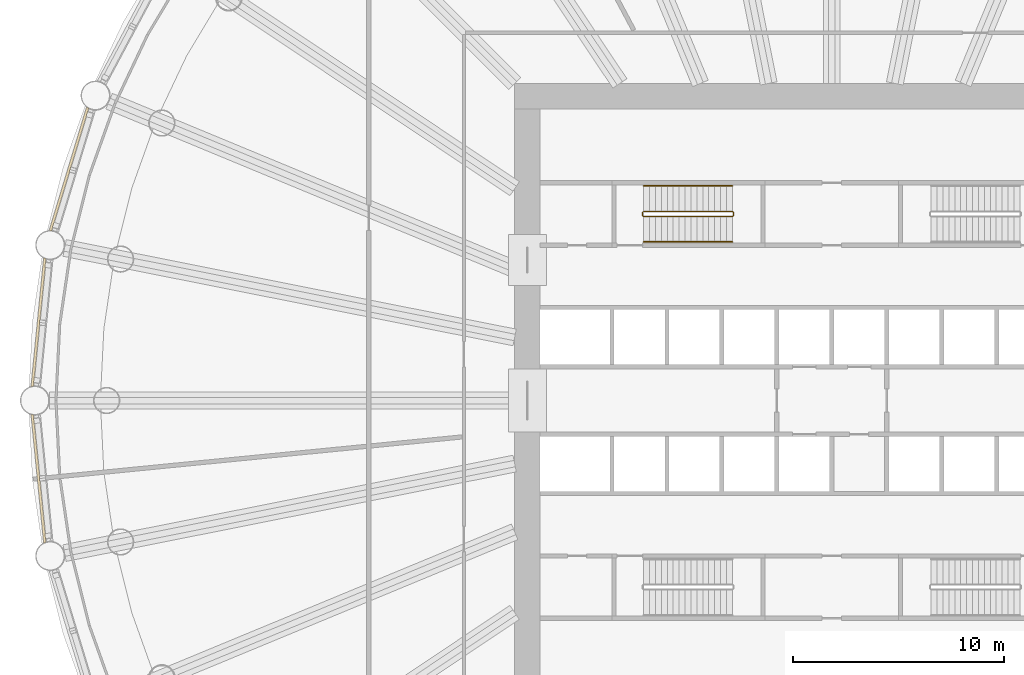
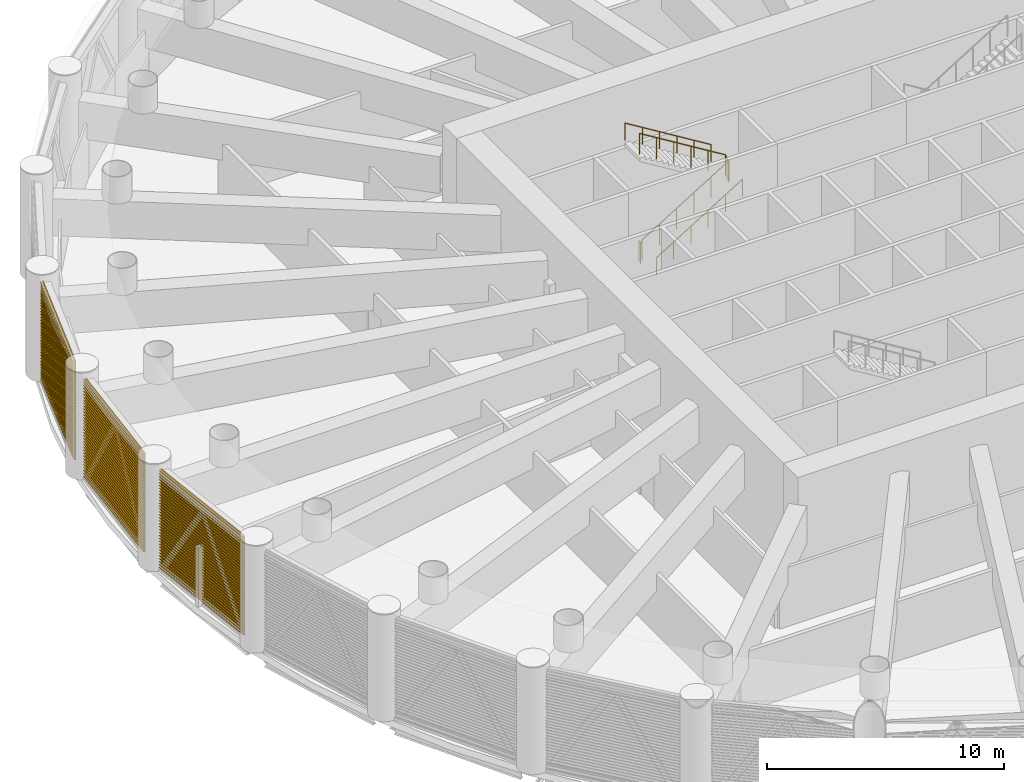
# One storey, part 22 of 26: 3 railings, 3 shading devices, 3 elements without a shape of their own.
"""IFC4 building model written with IfcOpenShell, lengths in metres."""

from ifc_helpers import new_model, si_unit, direction, frame, origin, origin_2d, place, context, subcontext, project, spatial, polyline, circle, outline, extrude, material, material_profile, profile_set, type_object, element, aggregate, save


model = new_model("IFC4")

# Units and contexts
model_context = context("Model", 3, precision=1e-05, world=origin(), true_north=direction((0.0, 1.0)))
body_context = subcontext(model_context, "Body", "Model", "MODEL_VIEW")
ifc_project = project(units=[si_unit("LENGTHUNIT", "METRE"), si_unit("AREAUNIT", "SQUARE_METRE"), si_unit("VOLUMEUNIT", "CUBIC_METRE"), si_unit("PLANEANGLEUNIT", "RADIAN"), si_unit("MASSUNIT", "GRAM", prefix="KILO")], contexts=[model_context])

# Site, building, storey
site_placement = place(None, origin())
site = spatial("IfcSite", under=ifc_project, at=site_placement, CompositionType="ELEMENT")
building_placement = place(site_placement, origin())
building = spatial("IfcBuilding", under=site, at=building_placement, Name="Corvane Civic Tower", CompositionType="ELEMENT")
storey_placement = place(building_placement, frame((0.0, 0.0, 85.0)))
storey = spatial("IfcBuildingStorey", under=building, at=storey_placement, Name="L19", CompositionType="ELEMENT", Elevation=85.0)

# Railings
ifc_material_1 = material(Name="Steel ASTM A572 Gr 50", Category="steel")
railing_type_1 = type_object("IfcRailingType", Name="ST-GUARD-1100", PredefinedType="GUARDRAIL", material=ifc_material_1)
railing_1_placement = place(storey_placement, frame((-8.949951171875, 8.89990234375, 0.0)))
element("IfcRailing", 1, at=railing_1_placement, inside=storey, type_object=railing_type_1, Name="L19 ST4 stair guard 1", PredefinedType="GUARDRAIL", context=body_context, shape_type="SweptSolid", body=[
    extrude(circle(Radius=0.02392578125, at=origin_2d()), frame((0.0, 0.0, 1.076171875), z_axis=(0.0, -1.0, 0.0), x_axis=(1.0, 0.0, 0.0)), (0.0, 0.0, 1.0), 0.14990234375),
    extrude(circle(Radius=0.02392578125, at=origin_2d()), frame((0.0, -0.14990234375, 1.076171875), z_axis=(0.269255725606, -0.269255725606, 0.92466356501), x_axis=(0.707106781187, 0.707106781187, 0.0)), (0.0, 0.0, 1.0), 0.185791015625),
    extrude(circle(Radius=0.02392578125, at=origin_2d()), frame((0.050048828125, -0.199951171875, 1.248046875), z_axis=(0.852242915053, 0.0, 0.523146264196), x_axis=(0.0, 1.0, 0.0)), (0.0, 0.0, 1.0), 4.92822265625),
    extrude(circle(Radius=0.02392578125, at=origin_2d()), frame((4.25, -0.199951171875, 3.826171875), z_axis=(0.707106781187, 0.707106781187, 0.0), x_axis=(-0.707106781187, 0.707106781187, 0.0)), (0.0, 0.0, 1.0), 0.07080078125),
    extrude(circle(Radius=0.02392578125, at=origin_2d()), frame((4.300048828125, -0.14990234375, 3.826171875), z_axis=(0.0, 1.0, 0.0), x_axis=(-1.0, 0.0, 0.0)), (0.0, 0.0, 1.0), 0.14990234375),
    extrude(circle(Radius=0.02392578125, at=origin_2d()), frame((4.300048828125, 0.0, 3.826171875), z_axis=(-0.269255725606, 0.269255725606, 0.92466356501), x_axis=(-0.707106781187, -0.707106781187, 0.0)), (0.0, 0.0, 1.0), 0.185791015625),
    extrude(circle(Radius=0.02392578125, at=origin_2d()), frame((4.25, 0.050048828125, 3.998046875), z_axis=(-0.852242915053, 0.0, 0.523146264196), x_axis=(0.0, -1.0, 0.0)), (0.0, 0.0, 1.0), 4.92822265625),
    extrude(circle(Radius=0.02099609375, at=origin_2d()), origin(), (0.0, 0.0, 1.0), 1.052001953125),
    extrude(circle(Radius=0.02099609375, at=origin_2d()), frame((0.0, -0.14990234375, 0.0)), (0.0, 0.0, 1.0), 1.052001953125),
    extrude(circle(Radius=0.02099609375, at=origin_2d()), frame((0.050048828125, -0.199951171875, 0.171875)), (0.0, 0.0, 1.0), 1.052001953125),
    extrude(circle(Radius=0.02099609375, at=origin_2d()), frame((0.89013671875, -0.199951171875, 0.6875)), (0.0, 0.0, 1.0), 1.052001953125),
    extrude(circle(Radius=0.02099609375, at=origin_2d()), frame((1.72998046875, -0.199951171875, 1.203125)), (0.0, 0.0, 1.0), 1.052001953125),
    extrude(circle(Radius=0.02099609375, at=origin_2d()), frame((2.570068359375, -0.199951171875, 1.71875)), (0.0, 0.0, 1.0), 1.052001953125),
    extrude(circle(Radius=0.02099609375, at=origin_2d()), frame((3.409912109375, -0.199951171875, 2.234375)), (0.0, 0.0, 1.0), 1.052001953125),
    extrude(circle(Radius=0.02099609375, at=origin_2d()), frame((4.25, -0.199951171875, 2.75)), (0.0, 0.0, 1.0), 1.052001953125),
    extrude(circle(Radius=0.02099609375, at=origin_2d()), frame((4.300048828125, -0.14990234375, 2.75)), (0.0, 0.0, 1.0), 1.052001953125),
    extrude(circle(Radius=0.02099609375, at=origin_2d()), frame((4.300048828125, 0.0, 2.75)), (0.0, 0.0, 1.0), 1.052001953125),
    extrude(circle(Radius=0.02099609375, at=origin_2d()), frame((4.25, 0.050048828125, 2.921875)), (0.0, 0.0, 1.0), 1.052001953125),
    extrude(circle(Radius=0.02099609375, at=origin_2d()), frame((3.409912109375, 0.050048828125, 3.4375)), (0.0, 0.0, 1.0), 1.052001953125),
    extrude(circle(Radius=0.02099609375, at=origin_2d()), frame((2.570068359375, 0.050048828125, 3.953125)), (0.0, 0.0, 1.0), 1.052001953125),
    extrude(circle(Radius=0.02099609375, at=origin_2d()), frame((1.72998046875, 0.050048828125, 4.46875)), (0.0, 0.0, 1.0), 1.052001953125),
    extrude(circle(Radius=0.02099609375, at=origin_2d()), frame((0.89013671875, 0.050048828125, 4.984375)), (0.0, 0.0, 1.0), 1.052001953125),
    extrude(circle(Radius=0.02099609375, at=origin_2d()), frame((0.050048828125, 0.050048828125, 5.5)), (0.0, 0.0, 1.0), 1.052001953125),
])
ifc_material_2 = material(Name="Steel ASTM A572 Gr 50", Category="steel")
railing_type_2 = type_object("IfcRailingType", Name="ST-HANDRAIL-900", PredefinedType="HANDRAIL", material=ifc_material_2)
railing_2_placement = place(storey_placement, frame((-8.89990234375, 7.5, 0.171875)))
element("IfcRailing", 2, at=railing_2_placement, inside=storey, type_object=railing_type_2, Name="L19 ST4 stair handrail 1", PredefinedType="HANDRAIL", context=body_context, shape_type="SweptSolid", body=[
    extrude(circle(Radius=0.02392578125, at=origin_2d()), frame((0.0, 0.0, 0.8759765625), z_axis=(0.852242915053, 0.0, 0.523146264196), x_axis=(0.0, 1.0, 0.0)), (0.0, 0.0, 1.0), 4.92822265625),
    extrude(circle(Radius=0.02099609375, at=origin_2d()), origin(), (0.0, 0.0, 1.0), 0.851806640625),
    extrude(circle(Radius=0.02099609375, at=origin_2d()), frame((0.840087890625, 0.0, 0.515625)), (0.0, 0.0, 1.0), 0.851806640625),
    extrude(circle(Radius=0.02099609375, at=origin_2d()), frame((1.679931640625, 0.0, 1.03125)), (0.0, 0.0, 1.0), 0.851806640625),
    extrude(circle(Radius=0.02099609375, at=origin_2d()), frame((2.52001953125, 0.0, 1.546875)), (0.0, 0.0, 1.0), 0.851806640625),
    extrude(circle(Radius=0.02099609375, at=origin_2d()), frame((3.35986328125, 0.0, 2.0625)), (0.0, 0.0, 1.0), 0.851806640625),
    extrude(circle(Radius=0.02099609375, at=origin_2d()), frame((4.199951171875, 0.0, 2.578125)), (0.0, 0.0, 1.0), 0.851806640625),
])
railing_3_placement = place(storey_placement, frame((-4.699951171875, 10.14990234375, 2.921875)))
element("IfcRailing", 3, at=railing_3_placement, inside=storey, type_object=railing_type_2, Name="L19 ST4 stair handrail 2", PredefinedType="HANDRAIL", context=body_context, shape_type="SweptSolid", body=[
    extrude(circle(Radius=0.02392578125, at=origin_2d()), frame((0.0, 0.0, 0.8759765625), z_axis=(-0.852242915053, 0.0, 0.523146264196), x_axis=(0.0, -1.0, 0.0)), (0.0, 0.0, 1.0), 4.92822265625),
    extrude(circle(Radius=0.02099609375, at=origin_2d()), origin(), (0.0, 0.0, 1.0), 0.851806640625),
    extrude(circle(Radius=0.02099609375, at=origin_2d()), frame((-0.840087890625, 0.0, 0.515625)), (0.0, 0.0, 1.0), 0.851806640625),
    extrude(circle(Radius=0.02099609375, at=origin_2d()), frame((-1.679931640625, 0.0, 1.03125)), (0.0, 0.0, 1.0), 0.851806640625),
    extrude(circle(Radius=0.02099609375, at=origin_2d()), frame((-2.52001953125, 0.0, 1.546875)), (0.0, 0.0, 1.0), 0.851806640625),
    extrude(circle(Radius=0.02099609375, at=origin_2d()), frame((-3.35986328125, 0.0, 2.0625)), (0.0, 0.0, 1.0), 0.851806640625),
    extrude(circle(Radius=0.02099609375, at=origin_2d()), frame((-4.199951171875, 0.0, 2.578125)), (0.0, 0.0, 1.0), 0.851806640625),
])

# Curtain wall, shading device
ifc_material_3 = material(Name="Anodised aluminium bronze", Category="aluminium")
curtain_wall_type = type_object("IfcCurtainWallType", Name="TOWER CW-LV LOUVRE SCREEN WALL", PredefinedType="NOTDEFINED", material=ifc_material_3)
curtain_wall_1_placement = place(storey_placement, origin())
curtain_wall_1 = element("IfcCurtainWall", 4, at=curtain_wall_1_placement, inside=storey, type_object=curtain_wall_type, Name="Louvre screen wall CW-LV L19 bay 24", PredefinedType="NOTDEFINED")
ifc_material_4 = material(Name="Anodised aluminium bronze", Category="aluminium")
ifc_material_profile = material_profile(ifc_material_4, outline(polyline([(-0.06005859375, -2.56494140625), (-0.0400390625, -2.56494140625), (0.06005859375, -2.492919921875), (0.06005859375, -2.472900390625), (-0.0400390625, -2.544921875), (-0.0400390625, -2.4140625), (0.06005859375, -2.342041015625), (0.06005859375, -2.322021484375), (-0.0400390625, -2.39404296875), (-0.0400390625, -2.26318359375), (0.06005859375, -2.191162109375), (0.06005859375, -2.171142578125), (-0.0400390625, -2.2431640625), (-0.0400390625, -2.1123046875), (0.06005859375, -2.040283203125), (0.06005859375, -2.0205078125), (-0.0400390625, -2.09228515625), (-0.0400390625, -1.96142578125), (0.06005859375, -1.889404296875), (0.06005859375, -1.869384765625), (-0.0400390625, -1.94140625), (-0.0400390625, -1.810546875), (0.06005859375, -1.738525390625), (0.06005859375, -1.718505859375), (-0.0400390625, -1.79052734375), (-0.0400390625, -1.65966796875), (0.06005859375, -1.587646484375), (0.06005859375, -1.567626953125), (-0.0400390625, -1.6396484375), (-0.0400390625, -1.5087890625), (0.06005859375, -1.436767578125), (0.06005859375, -1.416748046875), (-0.0400390625, -1.48876953125), (-0.0400390625, -1.35791015625), (0.06005859375, -1.285888671875), (0.06005859375, -1.265869140625), (-0.0400390625, -1.337890625), (-0.0400390625, -1.20703125), (0.06005859375, -1.135009765625), (0.06005859375, -1.114990234375), (-0.0400390625, -1.18701171875), (-0.0400390625, -1.05615234375), (0.06005859375, -0.984130859375), (0.06005859375, -0.964111328125), (-0.0400390625, -1.0361328125), (-0.0400390625, -0.9052734375), (0.06005859375, -0.833251953125), (0.06005859375, -0.813232421875), (-0.0400390625, -0.88525390625), (-0.0400390625, -0.75439453125), (0.06005859375, -0.682373046875), (0.06005859375, -0.662353515625), (-0.0400390625, -0.734375), (-0.0400390625, -0.603515625), (0.06005859375, -0.531494140625), (0.06005859375, -0.511474609375), (-0.0400390625, -0.58349609375), (-0.0400390625, -0.45263671875), (0.06005859375, -0.380615234375), (0.06005859375, -0.360595703125), (-0.0400390625, -0.4326171875), (-0.0400390625, -0.3017578125), (0.06005859375, -0.229736328125), (0.06005859375, -0.209716796875), (-0.0400390625, -0.28173828125), (-0.0400390625, -0.15087890625), (0.06005859375, -0.078857421875), (0.06005859375, -0.058837890625), (-0.0400390625, -0.130859375), (-0.0400390625, 0.0), (0.06005859375, 0.072021484375), (0.06005859375, 0.092041015625), (-0.0400390625, 0.02001953125), (-0.0400390625, 0.15087890625), (0.06005859375, 0.222900390625), (0.06005859375, 0.242919921875), (-0.0400390625, 0.1708984375), (-0.0400390625, 0.3017578125), (0.06005859375, 0.373779296875), (0.06005859375, 0.393798828125), (-0.0400390625, 0.32177734375), (-0.0400390625, 0.45263671875), (0.06005859375, 0.524658203125), (0.06005859375, 0.544677734375), (-0.0400390625, 0.47265625), (-0.0400390625, 0.603515625), (0.06005859375, 0.675537109375), (0.06005859375, 0.695556640625), (-0.0400390625, 0.62353515625), (-0.0400390625, 0.75439453125), (0.06005859375, 0.826416015625), (0.06005859375, 0.846435546875), (-0.0400390625, 0.7744140625), (-0.0400390625, 0.9052734375), (0.06005859375, 0.977294921875), (0.06005859375, 0.997314453125), (-0.0400390625, 0.92529296875), (-0.0400390625, 1.05615234375), (0.06005859375, 1.128173828125), (0.06005859375, 1.148193359375), (-0.0400390625, 1.076171875), (-0.0400390625, 1.20703125), (0.06005859375, 1.279052734375), (0.06005859375, 1.299072265625), (-0.0400390625, 1.22705078125), (-0.0400390625, 1.35791015625), (0.06005859375, 1.429931640625), (0.06005859375, 1.449951171875), (-0.0400390625, 1.3779296875), (-0.0400390625, 1.5087890625), (0.06005859375, 1.580810546875), (0.06005859375, 1.600830078125), (-0.0400390625, 1.52880859375), (-0.0400390625, 1.65966796875), (0.06005859375, 1.731689453125), (0.06005859375, 1.751708984375), (-0.0400390625, 1.6796875), (-0.0400390625, 1.810546875), (0.06005859375, 1.882568359375), (0.06005859375, 1.902587890625), (-0.0400390625, 1.83056640625), (-0.0400390625, 1.96142578125), (0.06005859375, 2.033447265625), (0.06005859375, 2.053466796875), (-0.0400390625, 1.9814453125), (-0.0400390625, 2.1123046875), (0.06005859375, 2.184326171875), (0.06005859375, 2.204345703125), (-0.0400390625, 2.13232421875), (-0.0400390625, 2.26318359375), (0.06005859375, 2.335205078125), (0.06005859375, 2.355224609375), (-0.0400390625, 2.283203125), (-0.0400390625, 2.4140625), (0.06005859375, 2.486083984375), (0.06005859375, 2.506103515625), (-0.0400390625, 2.43408203125), (-0.0400390625, 2.56494140625), (-0.06005859375, 2.56494140625), (-0.06005859375, -2.56494140625)])), Name="TOWER LOUVRE BANK 5130 BRONZE")
ifc_profile_set = profile_set([ifc_material_profile], Name="Anodised aluminium bronze")
shading_device_type = type_object("IfcShadingDeviceType", Name="TOWER LOUVRE BANK 5130 BRONZE", PredefinedType="USERDEFINED", material=ifc_profile_set)
shading_device_1_placement = place(storey_placement, frame((-37.21728515625, -6.72900390625, 2.68505859375), z_axis=(-0.097981237525, 0.995188262136, 0.0), x_axis=(-0.995188262136, -0.097981237525, 0.0)))
shading_device_1 = element("IfcShadingDevice", 5, at=shading_device_1_placement, type_object=shading_device_type, Name="Louvre bank L19 24.1", ObjectType="LOUVRE", PredefinedType="USERDEFINED", context=body_context, shape_type="SweptSolid", body=[
    extrude(outline(polyline([(-0.06005859375, -2.56494140625), (-0.0400390625, -2.56494140625), (0.06005859375, -2.492919921875), (0.06005859375, -2.472900390625), (-0.0400390625, -2.544921875), (-0.0400390625, -2.4140625), (0.06005859375, -2.342041015625), (0.06005859375, -2.322021484375), (-0.0400390625, -2.39404296875), (-0.0400390625, -2.26318359375), (0.06005859375, -2.191162109375), (0.06005859375, -2.171142578125), (-0.0400390625, -2.2431640625), (-0.0400390625, -2.1123046875), (0.06005859375, -2.040283203125), (0.06005859375, -2.0205078125), (-0.0400390625, -2.09228515625), (-0.0400390625, -1.96142578125), (0.06005859375, -1.889404296875), (0.06005859375, -1.869384765625), (-0.0400390625, -1.94140625), (-0.0400390625, -1.810546875), (0.06005859375, -1.738525390625), (0.06005859375, -1.718505859375), (-0.0400390625, -1.79052734375), (-0.0400390625, -1.65966796875), (0.06005859375, -1.587646484375), (0.06005859375, -1.567626953125), (-0.0400390625, -1.6396484375), (-0.0400390625, -1.5087890625), (0.06005859375, -1.436767578125), (0.06005859375, -1.416748046875), (-0.0400390625, -1.48876953125), (-0.0400390625, -1.35791015625), (0.06005859375, -1.285888671875), (0.06005859375, -1.265869140625), (-0.0400390625, -1.337890625), (-0.0400390625, -1.20703125), (0.06005859375, -1.135009765625), (0.06005859375, -1.114990234375), (-0.0400390625, -1.18701171875), (-0.0400390625, -1.05615234375), (0.06005859375, -0.984130859375), (0.06005859375, -0.964111328125), (-0.0400390625, -1.0361328125), (-0.0400390625, -0.9052734375), (0.06005859375, -0.833251953125), (0.06005859375, -0.813232421875), (-0.0400390625, -0.88525390625), (-0.0400390625, -0.75439453125), (0.06005859375, -0.682373046875), (0.06005859375, -0.662353515625), (-0.0400390625, -0.734375), (-0.0400390625, -0.603515625), (0.06005859375, -0.531494140625), (0.06005859375, -0.511474609375), (-0.0400390625, -0.58349609375), (-0.0400390625, -0.45263671875), (0.06005859375, -0.380615234375), (0.06005859375, -0.360595703125), (-0.0400390625, -0.4326171875), (-0.0400390625, -0.3017578125), (0.06005859375, -0.229736328125), (0.06005859375, -0.209716796875), (-0.0400390625, -0.28173828125), (-0.0400390625, -0.15087890625), (0.06005859375, -0.078857421875), (0.06005859375, -0.058837890625), (-0.0400390625, -0.130859375), (-0.0400390625, 0.0), (0.06005859375, 0.072021484375), (0.06005859375, 0.092041015625), (-0.0400390625, 0.02001953125), (-0.0400390625, 0.15087890625), (0.06005859375, 0.222900390625), (0.06005859375, 0.242919921875), (-0.0400390625, 0.1708984375), (-0.0400390625, 0.3017578125), (0.06005859375, 0.373779296875), (0.06005859375, 0.393798828125), (-0.0400390625, 0.32177734375), (-0.0400390625, 0.45263671875), (0.06005859375, 0.524658203125), (0.06005859375, 0.544677734375), (-0.0400390625, 0.47265625), (-0.0400390625, 0.603515625), (0.06005859375, 0.675537109375), (0.06005859375, 0.695556640625), (-0.0400390625, 0.62353515625), (-0.0400390625, 0.75439453125), (0.06005859375, 0.826416015625), (0.06005859375, 0.846435546875), (-0.0400390625, 0.7744140625), (-0.0400390625, 0.9052734375), (0.06005859375, 0.977294921875), (0.06005859375, 0.997314453125), (-0.0400390625, 0.92529296875), (-0.0400390625, 1.05615234375), (0.06005859375, 1.128173828125), (0.06005859375, 1.148193359375), (-0.0400390625, 1.076171875), (-0.0400390625, 1.20703125), (0.06005859375, 1.279052734375), (0.06005859375, 1.299072265625), (-0.0400390625, 1.22705078125), (-0.0400390625, 1.35791015625), (0.06005859375, 1.429931640625), (0.06005859375, 1.449951171875), (-0.0400390625, 1.3779296875), (-0.0400390625, 1.5087890625), (0.06005859375, 1.580810546875), (0.06005859375, 1.600830078125), (-0.0400390625, 1.52880859375), (-0.0400390625, 1.65966796875), (0.06005859375, 1.731689453125), (0.06005859375, 1.751708984375), (-0.0400390625, 1.6796875), (-0.0400390625, 1.810546875), (0.06005859375, 1.882568359375), (0.06005859375, 1.902587890625), (-0.0400390625, 1.83056640625), (-0.0400390625, 1.96142578125), (0.06005859375, 2.033447265625), (0.06005859375, 2.053466796875), (-0.0400390625, 1.9814453125), (-0.0400390625, 2.1123046875), (0.06005859375, 2.184326171875), (0.06005859375, 2.204345703125), (-0.0400390625, 2.13232421875), (-0.0400390625, 2.26318359375), (0.06005859375, 2.335205078125), (0.06005859375, 2.355224609375), (-0.0400390625, 2.283203125), (-0.0400390625, 2.4140625), (0.06005859375, 2.486083984375), (0.06005859375, 2.506103515625), (-0.0400390625, 2.43408203125), (-0.0400390625, 2.56494140625), (-0.06005859375, 2.56494140625), (-0.06005859375, -2.56494140625)])), origin(), (0.0, 0.0, 1.0), 6.09716796875),
])
aggregate(curtain_wall_1, [shading_device_1])

curtain_wall_2_placement = place(storey_placement, origin())
curtain_wall_2 = element("IfcCurtainWall", 6, at=curtain_wall_2_placement, inside=storey, type_object=curtain_wall_type, Name="Louvre screen wall CW-LV L19 bay 25", PredefinedType="NOTDEFINED")
shading_device_2_placement = place(storey_placement, frame((-37.814697265625, 0.6611328125, 2.68505859375), z_axis=(0.097981237525, 0.995188262136, 0.0), x_axis=(-0.995188262136, 0.097981237525, 0.0)))
shading_device_2 = element("IfcShadingDevice", 7, at=shading_device_2_placement, type_object=shading_device_type, Name="Louvre bank L19 25.1", ObjectType="LOUVRE", PredefinedType="USERDEFINED", context=body_context, shape_type="SweptSolid", body=[
    extrude(outline(polyline([(-0.06005859375, -2.56494140625), (-0.0400390625, -2.56494140625), (0.06005859375, -2.492919921875), (0.06005859375, -2.472900390625), (-0.0400390625, -2.544921875), (-0.0400390625, -2.4140625), (0.06005859375, -2.342041015625), (0.06005859375, -2.322021484375), (-0.0400390625, -2.39404296875), (-0.0400390625, -2.26318359375), (0.06005859375, -2.191162109375), (0.06005859375, -2.171142578125), (-0.0400390625, -2.2431640625), (-0.0400390625, -2.1123046875), (0.06005859375, -2.040283203125), (0.06005859375, -2.0205078125), (-0.0400390625, -2.09228515625), (-0.0400390625, -1.96142578125), (0.06005859375, -1.889404296875), (0.06005859375, -1.869384765625), (-0.0400390625, -1.94140625), (-0.0400390625, -1.810546875), (0.06005859375, -1.738525390625), (0.06005859375, -1.718505859375), (-0.0400390625, -1.79052734375), (-0.0400390625, -1.65966796875), (0.06005859375, -1.587646484375), (0.06005859375, -1.567626953125), (-0.0400390625, -1.6396484375), (-0.0400390625, -1.5087890625), (0.06005859375, -1.436767578125), (0.06005859375, -1.416748046875), (-0.0400390625, -1.48876953125), (-0.0400390625, -1.35791015625), (0.06005859375, -1.285888671875), (0.06005859375, -1.265869140625), (-0.0400390625, -1.337890625), (-0.0400390625, -1.20703125), (0.06005859375, -1.135009765625), (0.06005859375, -1.114990234375), (-0.0400390625, -1.18701171875), (-0.0400390625, -1.05615234375), (0.06005859375, -0.984130859375), (0.06005859375, -0.964111328125), (-0.0400390625, -1.0361328125), (-0.0400390625, -0.9052734375), (0.06005859375, -0.833251953125), (0.06005859375, -0.813232421875), (-0.0400390625, -0.88525390625), (-0.0400390625, -0.75439453125), (0.06005859375, -0.682373046875), (0.06005859375, -0.662353515625), (-0.0400390625, -0.734375), (-0.0400390625, -0.603515625), (0.06005859375, -0.531494140625), (0.06005859375, -0.511474609375), (-0.0400390625, -0.58349609375), (-0.0400390625, -0.45263671875), (0.06005859375, -0.380615234375), (0.06005859375, -0.360595703125), (-0.0400390625, -0.4326171875), (-0.0400390625, -0.3017578125), (0.06005859375, -0.229736328125), (0.06005859375, -0.209716796875), (-0.0400390625, -0.28173828125), (-0.0400390625, -0.15087890625), (0.06005859375, -0.078857421875), (0.06005859375, -0.058837890625), (-0.0400390625, -0.130859375), (-0.0400390625, 0.0), (0.06005859375, 0.072021484375), (0.06005859375, 0.092041015625), (-0.0400390625, 0.02001953125), (-0.0400390625, 0.15087890625), (0.06005859375, 0.222900390625), (0.06005859375, 0.242919921875), (-0.0400390625, 0.1708984375), (-0.0400390625, 0.3017578125), (0.06005859375, 0.373779296875), (0.06005859375, 0.393798828125), (-0.0400390625, 0.32177734375), (-0.0400390625, 0.45263671875), (0.06005859375, 0.524658203125), (0.06005859375, 0.544677734375), (-0.0400390625, 0.47265625), (-0.0400390625, 0.603515625), (0.06005859375, 0.675537109375), (0.06005859375, 0.695556640625), (-0.0400390625, 0.62353515625), (-0.0400390625, 0.75439453125), (0.06005859375, 0.826416015625), (0.06005859375, 0.846435546875), (-0.0400390625, 0.7744140625), (-0.0400390625, 0.9052734375), (0.06005859375, 0.977294921875), (0.06005859375, 0.997314453125), (-0.0400390625, 0.92529296875), (-0.0400390625, 1.05615234375), (0.06005859375, 1.128173828125), (0.06005859375, 1.148193359375), (-0.0400390625, 1.076171875), (-0.0400390625, 1.20703125), (0.06005859375, 1.279052734375), (0.06005859375, 1.299072265625), (-0.0400390625, 1.22705078125), (-0.0400390625, 1.35791015625), (0.06005859375, 1.429931640625), (0.06005859375, 1.449951171875), (-0.0400390625, 1.3779296875), (-0.0400390625, 1.5087890625), (0.06005859375, 1.580810546875), (0.06005859375, 1.600830078125), (-0.0400390625, 1.52880859375), (-0.0400390625, 1.65966796875), (0.06005859375, 1.731689453125), (0.06005859375, 1.751708984375), (-0.0400390625, 1.6796875), (-0.0400390625, 1.810546875), (0.06005859375, 1.882568359375), (0.06005859375, 1.902587890625), (-0.0400390625, 1.83056640625), (-0.0400390625, 1.96142578125), (0.06005859375, 2.033447265625), (0.06005859375, 2.053466796875), (-0.0400390625, 1.9814453125), (-0.0400390625, 2.1123046875), (0.06005859375, 2.184326171875), (0.06005859375, 2.204345703125), (-0.0400390625, 2.13232421875), (-0.0400390625, 2.26318359375), (0.06005859375, 2.335205078125), (0.06005859375, 2.355224609375), (-0.0400390625, 2.283203125), (-0.0400390625, 2.4140625), (0.06005859375, 2.486083984375), (0.06005859375, 2.506103515625), (-0.0400390625, 2.43408203125), (-0.0400390625, 2.56494140625), (-0.06005859375, 2.56494140625), (-0.06005859375, -2.56494140625)])), origin(), (0.0, 0.0, 1.0), 6.09716796875),
])
aggregate(curtain_wall_2, [shading_device_2])

curtain_wall_3_placement = place(storey_placement, origin())
curtain_wall_3 = element("IfcCurtainWall", 8, at=curtain_wall_3_placement, inside=storey, type_object=curtain_wall_type, Name="Louvre screen wall CW-LV L19 bay 26", PredefinedType="NOTDEFINED")
shading_device_3_placement = place(storey_placement, frame((-36.959228515625, 8.02587890625, 2.68505859375), z_axis=(0.29027077816, 0.956944551866, 0.0), x_axis=(-0.956944551866, 0.29027077816, 0.0)))
shading_device_3 = element("IfcShadingDevice", 9, at=shading_device_3_placement, type_object=shading_device_type, Name="Louvre bank L19 26.1", ObjectType="LOUVRE", PredefinedType="USERDEFINED", context=body_context, shape_type="SweptSolid", body=[
    extrude(outline(polyline([(-0.06005859375, -2.56494140625), (-0.0400390625, -2.56494140625), (0.06005859375, -2.492919921875), (0.06005859375, -2.472900390625), (-0.0400390625, -2.544921875), (-0.0400390625, -2.4140625), (0.06005859375, -2.342041015625), (0.06005859375, -2.322021484375), (-0.0400390625, -2.39404296875), (-0.0400390625, -2.26318359375), (0.06005859375, -2.191162109375), (0.06005859375, -2.171142578125), (-0.0400390625, -2.2431640625), (-0.0400390625, -2.1123046875), (0.06005859375, -2.040283203125), (0.06005859375, -2.0205078125), (-0.0400390625, -2.09228515625), (-0.0400390625, -1.96142578125), (0.06005859375, -1.889404296875), (0.06005859375, -1.869384765625), (-0.0400390625, -1.94140625), (-0.0400390625, -1.810546875), (0.06005859375, -1.738525390625), (0.06005859375, -1.718505859375), (-0.0400390625, -1.79052734375), (-0.0400390625, -1.65966796875), (0.06005859375, -1.587646484375), (0.06005859375, -1.567626953125), (-0.0400390625, -1.6396484375), (-0.0400390625, -1.5087890625), (0.06005859375, -1.436767578125), (0.06005859375, -1.416748046875), (-0.0400390625, -1.48876953125), (-0.0400390625, -1.35791015625), (0.06005859375, -1.285888671875), (0.06005859375, -1.265869140625), (-0.0400390625, -1.337890625), (-0.0400390625, -1.20703125), (0.06005859375, -1.135009765625), (0.06005859375, -1.114990234375), (-0.0400390625, -1.18701171875), (-0.0400390625, -1.05615234375), (0.06005859375, -0.984130859375), (0.06005859375, -0.964111328125), (-0.0400390625, -1.0361328125), (-0.0400390625, -0.9052734375), (0.06005859375, -0.833251953125), (0.06005859375, -0.813232421875), (-0.0400390625, -0.88525390625), (-0.0400390625, -0.75439453125), (0.06005859375, -0.682373046875), (0.06005859375, -0.662353515625), (-0.0400390625, -0.734375), (-0.0400390625, -0.603515625), (0.06005859375, -0.531494140625), (0.06005859375, -0.511474609375), (-0.0400390625, -0.58349609375), (-0.0400390625, -0.45263671875), (0.06005859375, -0.380615234375), (0.06005859375, -0.360595703125), (-0.0400390625, -0.4326171875), (-0.0400390625, -0.3017578125), (0.06005859375, -0.229736328125), (0.06005859375, -0.209716796875), (-0.0400390625, -0.28173828125), (-0.0400390625, -0.15087890625), (0.06005859375, -0.078857421875), (0.06005859375, -0.058837890625), (-0.0400390625, -0.130859375), (-0.0400390625, 0.0), (0.06005859375, 0.072021484375), (0.06005859375, 0.092041015625), (-0.0400390625, 0.02001953125), (-0.0400390625, 0.15087890625), (0.06005859375, 0.222900390625), (0.06005859375, 0.242919921875), (-0.0400390625, 0.1708984375), (-0.0400390625, 0.3017578125), (0.06005859375, 0.373779296875), (0.06005859375, 0.393798828125), (-0.0400390625, 0.32177734375), (-0.0400390625, 0.45263671875), (0.06005859375, 0.524658203125), (0.06005859375, 0.544677734375), (-0.0400390625, 0.47265625), (-0.0400390625, 0.603515625), (0.06005859375, 0.675537109375), (0.06005859375, 0.695556640625), (-0.0400390625, 0.62353515625), (-0.0400390625, 0.75439453125), (0.06005859375, 0.826416015625), (0.06005859375, 0.846435546875), (-0.0400390625, 0.7744140625), (-0.0400390625, 0.9052734375), (0.06005859375, 0.977294921875), (0.06005859375, 0.997314453125), (-0.0400390625, 0.92529296875), (-0.0400390625, 1.05615234375), (0.06005859375, 1.128173828125), (0.06005859375, 1.148193359375), (-0.0400390625, 1.076171875), (-0.0400390625, 1.20703125), (0.06005859375, 1.279052734375), (0.06005859375, 1.299072265625), (-0.0400390625, 1.22705078125), (-0.0400390625, 1.35791015625), (0.06005859375, 1.429931640625), (0.06005859375, 1.449951171875), (-0.0400390625, 1.3779296875), (-0.0400390625, 1.5087890625), (0.06005859375, 1.580810546875), (0.06005859375, 1.600830078125), (-0.0400390625, 1.52880859375), (-0.0400390625, 1.65966796875), (0.06005859375, 1.731689453125), (0.06005859375, 1.751708984375), (-0.0400390625, 1.6796875), (-0.0400390625, 1.810546875), (0.06005859375, 1.882568359375), (0.06005859375, 1.902587890625), (-0.0400390625, 1.83056640625), (-0.0400390625, 1.96142578125), (0.06005859375, 2.033447265625), (0.06005859375, 2.053466796875), (-0.0400390625, 1.9814453125), (-0.0400390625, 2.1123046875), (0.06005859375, 2.184326171875), (0.06005859375, 2.204345703125), (-0.0400390625, 2.13232421875), (-0.0400390625, 2.26318359375), (0.06005859375, 2.335205078125), (0.06005859375, 2.355224609375), (-0.0400390625, 2.283203125), (-0.0400390625, 2.4140625), (0.06005859375, 2.486083984375), (0.06005859375, 2.506103515625), (-0.0400390625, 2.43408203125), (-0.0400390625, 2.56494140625), (-0.06005859375, 2.56494140625), (-0.06005859375, -2.56494140625)])), origin(), (0.0, 0.0, 1.0), 6.096923828125),
])
aggregate(curtain_wall_3, [shading_device_3])

save(model, "model.ifc")
